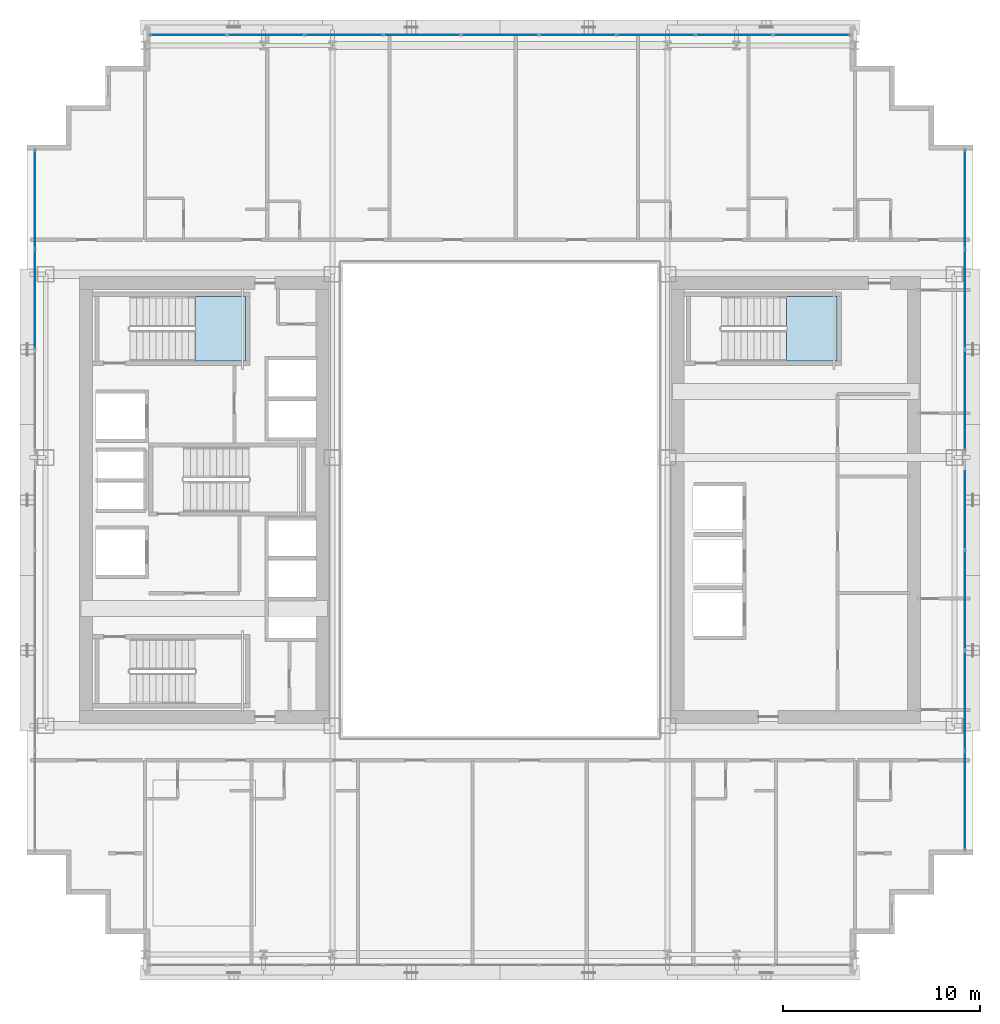
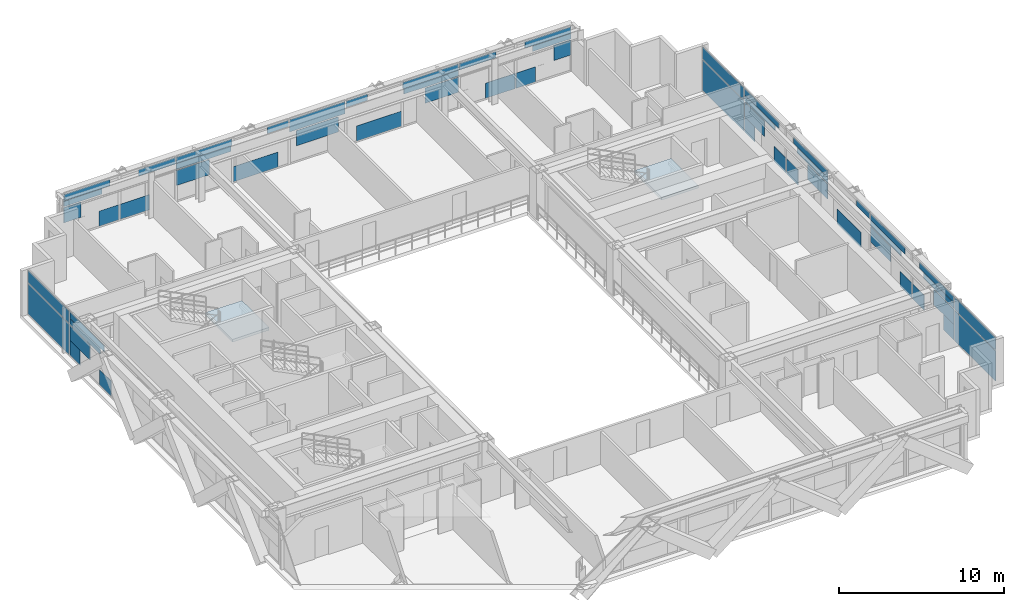
# One storey, part 24 of 35: 55 plates, 2 slabs, 5 elements without a shape of their own.
"""IFC4 building model written with IfcOpenShell, lengths in metres."""

from ifc_helpers import new_model, si_unit, direction, frame, origin, origin_2d, place, context, subcontext, project, spatial, polyline, rectangle, outline, extrude, source, transform, mapped, material, layer, layer_set, type_object, element, aggregate, save


model = new_model("IFC4")

# Units and contexts
model_context = context("Model", 3, precision=1e-05, world=origin(), true_north=direction((0.0, 1.0)))
body_context = subcontext(model_context, "Body", "Model", "MODEL_VIEW")
ifc_project = project(units=[si_unit("LENGTHUNIT", "METRE"), si_unit("AREAUNIT", "SQUARE_METRE"), si_unit("VOLUMEUNIT", "CUBIC_METRE"), si_unit("PLANEANGLEUNIT", "RADIAN"), si_unit("MASSUNIT", "GRAM", prefix="KILO")], contexts=[model_context])

# Site, building, storey
site_placement = place(None, origin())
site = spatial("IfcSite", under=ifc_project, at=site_placement, CompositionType="ELEMENT")
building_placement = place(site_placement, origin())
building = spatial("IfcBuilding", under=site, at=building_placement, Name="Ocotamira Hotel", CompositionType="ELEMENT")
storey_placement = place(building_placement, frame((0.0, 0.0, 118.800048828125)))
storey = spatial("IfcBuildingStorey", under=building, at=storey_placement, Name="L29", CompositionType="ELEMENT", Elevation=118.800048828125)

# Stair, slab
ifc_material_1 = material(Name="Concrete C40/50", Category="concrete")
stair_type = type_object("IfcStairType", Name="ST-CORE-1560", PredefinedType="HALF_TURN_STAIR", material=ifc_material_1)
stair_1_placement = place(storey_placement, origin())
stair_1 = element("IfcStair", 1, at=stair_1_placement, inside=storey, type_object=stair_type, Name="L29 Exit Stair ST-2", PredefinedType="HALF_TURN_STAIR")
ifc_layer_1 = layer(ifc_material_1, 0.199951171875)
ifc_layer_set_1 = layer_set([ifc_layer_1], Name="Concrete C40/50")
slab_type = type_object("IfcSlabType", Name="SLB-LAND-200", PredefinedType="LANDING", material=ifc_layer_set_1)
slab_1_placement = place(storey_placement, frame((0.0, 0.0, 1.599853515625)))
slab_1 = element("IfcSlab", 2, at=slab_1_placement, type_object=slab_type, Name="ST-2 landing 1", PredefinedType="LANDING", context=body_context, shape_type="SweptSolid", body=[
    extrude(outline(polyline([(16.530029296875, 33.050048828125), (19.090087890625, 33.050048828125), (19.090087890625, 36.330078125), (16.530029296875, 36.330078125), (16.530029296875, 33.050048828125)])), origin(), (0.0, 0.0, 1.0), 0.2001953125),
])
aggregate(stair_1, [slab_1])

stair_2_placement = place(storey_placement, origin())
stair_2 = element("IfcStair", 3, at=stair_2_placement, inside=storey, type_object=stair_type, Name="L29 Exit Stair ST-4", PredefinedType="HALF_TURN_STAIR")
slab_2_placement = place(storey_placement, frame((0.0, 0.0, 1.599853515625)))
slab_2 = element("IfcSlab", 4, at=slab_2_placement, type_object=slab_type, Name="ST-4 landing 1", PredefinedType="LANDING", context=body_context, shape_type="SweptSolid", body=[
    extrude(outline(polyline([(46.530029296875, 33.050048828125), (49.090087890625, 33.050048828125), (49.090087890625, 36.330078125), (46.530029296875, 36.330078125), (46.530029296875, 33.050048828125)])), origin(), (0.0, 0.0, 1.0), 0.2001953125),
])
aggregate(stair_2, [slab_2])

# Curtain wall, plate
ifc_material_2 = material(Name="Anodised pale-metal aluminium and solar glass", Category="aluminium")
ifc_layer_2 = layer(ifc_material_2, 0.179931640625)
ifc_layer_set_2 = layer_set([ifc_layer_2], Name="Anodised pale-metal aluminium and solar glass")
curtain_wall_type = type_object("IfcCurtainWallType", Name="CW-SYS3-Z2", PredefinedType="NOTDEFINED", material=ifc_layer_set_2)
curtain_wall_1_placement = place(storey_placement, origin())
curtain_wall_1 = element("IfcCurtainWall", 5, at=curtain_wall_1_placement, inside=storey, type_object=curtain_wall_type, Name="L29 Curtain Wall CW-3 CW-L29-W", PredefinedType="NOTDEFINED")
ifc_material_3 = material(Name="Double-silver low-E insulated solar glass", Category="glass")
ifc_layer_3 = layer(ifc_material_3, 0.031982421875)
ifc_layer_set_3 = layer_set([ifc_layer_3], Name="Double-silver low-E insulated solar glass")
plate_type = type_object("IfcPlateType", Name="CWP-VISION-32", PredefinedType="CURTAIN_PANEL", material=ifc_layer_set_3)
shared_shape_1 = source(origin(), body_context, "Body", "SweptSolid", [
    extrude(rectangle(XDim=4.9658203125, YDim=0.031982421875, at=origin_2d()), origin(), (0.0, 0.0, 1.0), 2.237548828125),
])
plate_1_placement = place(storey_placement, frame((8.419921875, 41.237060546875, 0.07470703125), z_axis=(0.0, 0.0, 1.0), x_axis=(0.0, 1.0, 0.0)))
plate_1 = element("IfcPlate", 6, at=plate_1_placement, type_object=plate_type, Name="CW-3 panel 7.1", PredefinedType="CURTAIN_PANEL", context=body_context, shape_type="MappedRepresentation", body=[
    mapped(shared_shape_1, transform((0.0, 0.0, 0.0), scale=1.0)),
])

# Curtain wall, plates
curtain_wall_2_placement = place(storey_placement, origin())
curtain_wall_2 = element("IfcCurtainWall", 7, at=curtain_wall_2_placement, inside=storey, type_object=curtain_wall_type, Name="L29 Curtain Wall CW-3 CW-L29-E", PredefinedType="NOTDEFINED")
plate_2_placement = place(storey_placement, frame((55.580078125, 10.762939453125, 0.07470703125), z_axis=(0.0, 0.0, 1.0), x_axis=(0.0, 1.0, 0.0)))
plate_2 = element("IfcPlate", 8, at=plate_2_placement, type_object=plate_type, Name="CW-3 panel 1.1", PredefinedType="CURTAIN_PANEL", context=body_context, shape_type="MappedRepresentation", body=[
    mapped(shared_shape_1, transform((0.0, 0.0, 0.0), scale=1.0)),
])
plate_3_placement = place(storey_placement, frame((55.580078125, 41.237060546875, 0.07470703125), z_axis=(0.0, 0.0, 1.0), x_axis=(0.0, 1.0, 0.0)))
plate_3 = element("IfcPlate", 9, at=plate_3_placement, type_object=plate_type, Name="CW-3 panel 7.1", PredefinedType="CURTAIN_PANEL", context=body_context, shape_type="MappedRepresentation", body=[
    mapped(shared_shape_1, transform((0.0, 0.0, 0.0), scale=1.0)),
])

curtain_wall_3_placement = place(storey_placement, origin())
curtain_wall_3 = element("IfcCurtainWall", 10, at=curtain_wall_3_placement, inside=storey, type_object=curtain_wall_type, Name="L29 Curtain Wall CW-3 CW-L29-N", PredefinedType="NOTDEFINED")
shared_shape_2 = source(origin(), body_context, "Body", "SweptSolid", [
    extrude(rectangle(XDim=2.676513671875, YDim=0.031982421875, at=origin_2d()), origin(), (0.0, 0.0, 1.0), 0.39453125),
])
plate_4_placement = place(storey_placement, frame((15.618408203125, 49.580078125, 2.387451171875), z_axis=(0.0, 0.0, 1.0), x_axis=(1.0, 0.0, 0.0)))
plate_4 = element("IfcPlate", 11, at=plate_4_placement, type_object=plate_type, Name="CW-3 panel 1.2.1", PredefinedType="CURTAIN_PANEL", context=body_context, shape_type="MappedRepresentation", body=[
    mapped(shared_shape_2, transform((0.0, 0.0, 0.0), scale=1.0)),
])
plate_5_placement = place(storey_placement, frame((48.381591796875, 49.580078125, 2.387451171875), z_axis=(0.0, 0.0, 1.0), x_axis=(1.0, 0.0, 0.0)))
plate_5 = element("IfcPlate", 12, at=plate_5_placement, type_object=plate_type, Name="CW-3 panel 9.2.2", PredefinedType="CURTAIN_PANEL", context=body_context, shape_type="MappedRepresentation", body=[
    mapped(shared_shape_2, transform((0.0, 0.0, 0.0), scale=1.0)),
])
shared_shape_3 = source(origin(), body_context, "Body", "SweptSolid", [
    extrude(rectangle(XDim=3.208740234375, YDim=0.031982421875, at=origin_2d()), origin(), (0.0, 0.0, 1.0), 0.4716796875),
])
plate_6_placement = place(storey_placement, frame((15.884521484375, 49.580078125, 2.813232421875), z_axis=(0.0, 0.0, 1.0), x_axis=(1.0, 0.0, 0.0)))
plate_6 = element("IfcPlate", 13, at=plate_6_placement, type_object=plate_type, Name="CW-3 panel 1.2.2", PredefinedType="CURTAIN_PANEL", context=body_context, shape_type="MappedRepresentation", body=[
    mapped(shared_shape_3, transform((0.0, 0.0, 0.0), scale=1.0)),
])
plate_7_placement = place(storey_placement, frame((48.115478515625, 49.580078125, 2.813232421875), z_axis=(0.0, 0.0, 1.0), x_axis=(1.0, 0.0, 0.0)))
plate_7 = element("IfcPlate", 14, at=plate_7_placement, type_object=plate_type, Name="CW-3 panel 9.2.1", PredefinedType="CURTAIN_PANEL", context=body_context, shape_type="MappedRepresentation", body=[
    mapped(shared_shape_3, transform((0.0, 0.0, 0.0), scale=1.0)),
])
shared_shape_4 = source(origin(), body_context, "Body", "SweptSolid", [
    extrude(rectangle(XDim=2.559814453125, YDim=0.031982421875, at=origin_2d()), origin(), (0.0, 0.0, 1.0), 0.4716796875),
])
plate_8_placement = place(storey_placement, frame((20.791259765625, 49.580078125, 2.813232421875), z_axis=(0.0, 0.0, 1.0), x_axis=(1.0, 0.0, 0.0)))
plate_8 = element("IfcPlate", 15, at=plate_8_placement, type_object=plate_type, Name="CW-3 panel 2.2.1", PredefinedType="CURTAIN_PANEL", context=body_context, shape_type="MappedRepresentation", body=[
    mapped(shared_shape_4, transform((0.0, 0.0, 0.0), scale=1.0)),
])
plate_9_placement = place(storey_placement, frame((43.208740234375, 49.580078125, 2.813232421875), z_axis=(0.0, 0.0, 1.0), x_axis=(1.0, 0.0, 0.0)))
plate_9 = element("IfcPlate", 16, at=plate_9_placement, type_object=plate_type, Name="CW-3 panel 8.2.1", PredefinedType="CURTAIN_PANEL", context=body_context, shape_type="MappedRepresentation", body=[
    mapped(shared_shape_4, transform((0.0, 0.0, 0.0), scale=1.0)),
])
shared_shape_5 = source(origin(), body_context, "Body", "SweptSolid", [
    extrude(rectangle(XDim=3.805419921875, YDim=0.031982421875, at=origin_2d()), origin(), (0.0, 0.0, 1.0), 0.42578125),
])
plate_10_placement = place(storey_placement, frame((24.0537109375, 49.580078125, 2.387451171875), z_axis=(0.0, 0.0, 1.0), x_axis=(1.0, 0.0, 0.0)))
plate_10 = element("IfcPlate", 17, at=plate_10_placement, type_object=plate_type, Name="CW-3 panel 3.2.1", PredefinedType="CURTAIN_PANEL", context=body_context, shape_type="MappedRepresentation", body=[
    mapped(shared_shape_5, transform((0.0, 0.0, 0.0), scale=1.0)),
])
plate_11_placement = place(storey_placement, frame((39.9462890625, 49.580078125, 2.387451171875), z_axis=(0.0, 0.0, 1.0), x_axis=(1.0, 0.0, 0.0)))
plate_11 = element("IfcPlate", 18, at=plate_11_placement, type_object=plate_type, Name="CW-3 panel 7.2.2", PredefinedType="CURTAIN_PANEL", context=body_context, shape_type="MappedRepresentation", body=[
    mapped(shared_shape_5, transform((0.0, 0.0, 0.0), scale=1.0)),
])
shared_shape_6 = source(origin(), body_context, "Body", "SweptSolid", [
    extrude(rectangle(XDim=3.87548828125, YDim=0.031982421875, at=origin_2d()), origin(), (0.0, 0.0, 1.0), 0.4716796875),
])
plate_12_placement = place(storey_placement, frame((24.0888671875, 49.580078125, 2.813232421875), z_axis=(0.0, 0.0, 1.0), x_axis=(1.0, 0.0, 0.0)))
plate_12 = element("IfcPlate", 19, at=plate_12_placement, type_object=plate_type, Name="CW-3 panel 3.2.2", PredefinedType="CURTAIN_PANEL", context=body_context, shape_type="MappedRepresentation", body=[
    mapped(shared_shape_6, transform((0.0, 0.0, 0.0), scale=1.0)),
])
plate_13_placement = place(storey_placement, frame((39.9111328125, 49.580078125, 2.813232421875), z_axis=(0.0, 0.0, 1.0), x_axis=(1.0, 0.0, 0.0)))
plate_13 = element("IfcPlate", 20, at=plate_13_placement, type_object=plate_type, Name="CW-3 panel 7.2.1", PredefinedType="CURTAIN_PANEL", context=body_context, shape_type="MappedRepresentation", body=[
    mapped(shared_shape_6, transform((0.0, 0.0, 0.0), scale=1.0)),
])
shared_shape_7 = source(origin(), body_context, "Body", "SweptSolid", [
    extrude(rectangle(XDim=1.470947265625, YDim=0.031982421875, at=origin_2d()), origin(), (0.0, 0.0, 1.0), 0.4716796875),
])
plate_14_placement = place(storey_placement, frame((29.24658203125, 49.580078125, 2.813232421875), z_axis=(0.0, 0.0, 1.0), x_axis=(1.0, 0.0, 0.0)))
plate_14 = element("IfcPlate", 21, at=plate_14_placement, type_object=plate_type, Name="CW-3 panel 4.2.1", PredefinedType="CURTAIN_PANEL", context=body_context, shape_type="MappedRepresentation", body=[
    mapped(shared_shape_7, transform((0.0, 0.0, 0.0), scale=1.0)),
])
plate_15_placement = place(storey_placement, frame((34.75341796875, 49.580078125, 2.813232421875), z_axis=(0.0, 0.0, 1.0), x_axis=(1.0, 0.0, 0.0)))
plate_15 = element("IfcPlate", 22, at=plate_15_placement, type_object=plate_type, Name="CW-3 panel 6.2.1", PredefinedType="CURTAIN_PANEL", context=body_context, shape_type="MappedRepresentation", body=[
    mapped(shared_shape_7, transform((0.0, 0.0, 0.0), scale=1.0)),
])
shared_shape_8 = source(origin(), body_context, "Body", "SweptSolid", [
    extrude(rectangle(XDim=3.87548828125, YDim=0.031982421875, at=origin_2d()), origin(), (0.0, 0.0, 1.0), 0.8974609375),
])
plate_16_placement = place(storey_placement, frame((32.0, 49.580078125, 2.387451171875), z_axis=(0.0, 0.0, 1.0), x_axis=(1.0, 0.0, 0.0)))
plate_16 = element("IfcPlate", 23, at=plate_16_placement, type_object=plate_type, Name="CW-3 panel 5.2", PredefinedType="CURTAIN_PANEL", context=body_context, shape_type="MappedRepresentation", body=[
    mapped(shared_shape_8, transform((0.0, 0.0, 0.0), scale=1.0)),
])

# Plate
shared_shape_9 = source(origin(), body_context, "Body", "SweptSolid", [
    extrude(rectangle(XDim=4.9658203125, YDim=0.031982421875, at=origin_2d()), origin(), (0.0, 0.0, 1.0), 0.8974609375),
])
plate_17_placement = place(storey_placement, frame((8.419921875, 41.237060546875, 2.387451171875), z_axis=(0.0, 0.0, 1.0), x_axis=(0.0, 1.0, 0.0)))
plate_17 = element("IfcPlate", 24, at=plate_17_placement, type_object=plate_type, Name="CW-3 panel 7.2", PredefinedType="CURTAIN_PANEL", context=body_context, shape_type="MappedRepresentation", body=[
    mapped(shared_shape_9, transform((0.0, 0.0, 0.0), scale=1.0)),
])

plate_18_placement = place(storey_placement, frame((55.580078125, 10.762939453125, 2.387451171875), z_axis=(0.0, 0.0, 1.0), x_axis=(0.0, 1.0, 0.0)))
plate_18 = element("IfcPlate", 25, at=plate_18_placement, type_object=plate_type, Name="CW-3 panel 1.2", PredefinedType="CURTAIN_PANEL", context=body_context, shape_type="MappedRepresentation", body=[
    mapped(shared_shape_9, transform((0.0, 0.0, 0.0), scale=1.0)),
])

plate_19_placement = place(storey_placement, frame((55.580078125, 41.237060546875, 2.387451171875), z_axis=(0.0, 0.0, 1.0), x_axis=(0.0, 1.0, 0.0)))
plate_19 = element("IfcPlate", 26, at=plate_19_placement, type_object=plate_type, Name="CW-3 panel 7.2", PredefinedType="CURTAIN_PANEL", context=body_context, shape_type="MappedRepresentation", body=[
    mapped(shared_shape_9, transform((0.0, 0.0, 0.0), scale=1.0)),
])

shared_shape_10 = source(origin(), body_context, "Body", "SweptSolid", [
    extrude(rectangle(XDim=3.69189453125, YDim=0.031982421875, at=origin_2d()), origin(), (0.0, 0.0, 1.0), 0.414306640625),
])
plate_20_placement = place(storey_placement, frame((8.419921875, 36.828369140625, 2.3876953125), z_axis=(0.0, 0.0, 1.0), x_axis=(0.0, 1.0, 0.0)))
plate_20 = element("IfcPlate", 27, at=plate_20_placement, type_object=plate_type, Name="CW-3 panel 6.2.2", PredefinedType="CURTAIN_PANEL", context=body_context, shape_type="MappedRepresentation", body=[
    mapped(shared_shape_10, transform((0.0, 0.0, 0.0), scale=1.0)),
])

plate_21_placement = place(storey_placement, frame((55.580078125, 15.171630859375, 2.3876953125), z_axis=(0.0, 0.0, 1.0), x_axis=(0.0, 1.0, 0.0)))
plate_21 = element("IfcPlate", 28, at=plate_21_placement, type_object=plate_type, Name="CW-3 panel 2.2.1", PredefinedType="CURTAIN_PANEL", context=body_context, shape_type="MappedRepresentation", body=[
    mapped(shared_shape_10, transform((0.0, 0.0, 0.0), scale=1.0)),
])

plate_22_placement = place(storey_placement, frame((55.580078125, 36.828369140625, 2.3876953125), z_axis=(0.0, 0.0, 1.0), x_axis=(0.0, 1.0, 0.0)))
plate_22 = element("IfcPlate", 29, at=plate_22_placement, type_object=plate_type, Name="CW-3 panel 6.2.2", PredefinedType="CURTAIN_PANEL", context=body_context, shape_type="MappedRepresentation", body=[
    mapped(shared_shape_10, transform((0.0, 0.0, 0.0), scale=1.0)),
])

shared_shape_11 = source(origin(), body_context, "Body", "SweptSolid", [
    extrude(rectangle(XDim=4.16748046875, YDim=0.031982421875, at=origin_2d()), origin(), (0.0, 0.0, 1.0), 0.44873046875),
])
plate_23_placement = place(storey_placement, frame((8.419921875, 36.590576171875, 2.836181640625), z_axis=(0.0, 0.0, 1.0), x_axis=(0.0, 1.0, 0.0)))
plate_23 = element("IfcPlate", 30, at=plate_23_placement, type_object=plate_type, Name="CW-3 panel 6.2.1", PredefinedType="CURTAIN_PANEL", context=body_context, shape_type="MappedRepresentation", body=[
    mapped(shared_shape_11, transform((0.0, 0.0, 0.0), scale=1.0)),
])

plate_24_placement = place(storey_placement, frame((55.580078125, 15.409423828125, 2.836181640625), z_axis=(0.0, 0.0, 1.0), x_axis=(0.0, 1.0, 0.0)))
plate_24 = element("IfcPlate", 31, at=plate_24_placement, type_object=plate_type, Name="CW-3 panel 2.2.2", PredefinedType="CURTAIN_PANEL", context=body_context, shape_type="MappedRepresentation", body=[
    mapped(shared_shape_11, transform((0.0, 0.0, 0.0), scale=1.0)),
])

plate_25_placement = place(storey_placement, frame((55.580078125, 36.590576171875, 2.836181640625), z_axis=(0.0, 0.0, 1.0), x_axis=(0.0, 1.0, 0.0)))
plate_25 = element("IfcPlate", 32, at=plate_25_placement, type_object=plate_type, Name="CW-3 panel 6.2.1", PredefinedType="CURTAIN_PANEL", context=body_context, shape_type="MappedRepresentation", body=[
    mapped(shared_shape_11, transform((0.0, 0.0, 0.0), scale=1.0)),
])

shared_shape_12 = source(origin(), body_context, "Body", "SweptSolid", [
    extrude(rectangle(XDim=4.17724609375, YDim=0.031982421875, at=origin_2d()), origin(), (0.0, 0.0, 1.0), 0.44873046875),
])
plate_26_placement = place(storey_placement, frame((55.580078125, 21.32861328125, 2.836181640625), z_axis=(0.0, 0.0, 1.0), x_axis=(0.0, 1.0, 0.0)))
plate_26 = element("IfcPlate", 33, at=plate_26_placement, type_object=plate_type, Name="CW-3 panel 3.2.1", PredefinedType="CURTAIN_PANEL", context=body_context, shape_type="MappedRepresentation", body=[
    mapped(shared_shape_12, transform((0.0, 0.0, 0.0), scale=1.0)),
])

plate_27_placement = place(storey_placement, frame((55.580078125, 30.67138671875, 2.836181640625), z_axis=(0.0, 0.0, 1.0), x_axis=(0.0, 1.0, 0.0)))
plate_27 = element("IfcPlate", 34, at=plate_27_placement, type_object=plate_type, Name="CW-3 panel 5.2.2", PredefinedType="CURTAIN_PANEL", context=body_context, shape_type="MappedRepresentation", body=[
    mapped(shared_shape_12, transform((0.0, 0.0, 0.0), scale=1.0)),
])

shared_shape_13 = source(origin(), body_context, "Body", "SweptSolid", [
    extrude(rectangle(XDim=3.70166015625, YDim=0.031982421875, at=origin_2d()), origin(), (0.0, 0.0, 1.0), 0.414306640625),
])
plate_28_placement = place(storey_placement, frame((55.580078125, 21.56640625, 2.3876953125), z_axis=(0.0, 0.0, 1.0), x_axis=(0.0, 1.0, 0.0)))
plate_28 = element("IfcPlate", 35, at=plate_28_placement, type_object=plate_type, Name="CW-3 panel 3.2.2", PredefinedType="CURTAIN_PANEL", context=body_context, shape_type="MappedRepresentation", body=[
    mapped(shared_shape_13, transform((0.0, 0.0, 0.0), scale=1.0)),
])

plate_29_placement = place(storey_placement, frame((55.580078125, 30.43359375, 2.3876953125), z_axis=(0.0, 0.0, 1.0), x_axis=(0.0, 1.0, 0.0)))
plate_29 = element("IfcPlate", 36, at=plate_29_placement, type_object=plate_type, Name="CW-3 panel 5.2.1", PredefinedType="CURTAIN_PANEL", context=body_context, shape_type="MappedRepresentation", body=[
    mapped(shared_shape_13, transform((0.0, 0.0, 0.0), scale=1.0)),
])

shared_shape_14 = source(origin(), body_context, "Body", "SweptSolid", [
    extrude(rectangle(XDim=1.629638671875, YDim=0.031982421875, at=origin_2d()), origin(), (0.0, 0.0, 1.0), 0.44873046875),
])
plate_30_placement = place(storey_placement, frame((55.580078125, 24.31201171875, 2.836181640625), z_axis=(0.0, 0.0, 1.0), x_axis=(0.0, 1.0, 0.0)))
plate_30 = element("IfcPlate", 37, at=plate_30_placement, type_object=plate_type, Name="CW-3 panel 4.2.1", PredefinedType="CURTAIN_PANEL", context=body_context, shape_type="MappedRepresentation", body=[
    mapped(shared_shape_14, transform((0.0, 0.0, 0.0), scale=1.0)),
])

shared_shape_15 = source(origin(), body_context, "Body", "SweptSolid", [
    extrude(rectangle(XDim=2.404296875, YDim=0.031982421875, at=origin_2d()), origin(), (0.0, 0.0, 1.0), 1.11865234375),
])
plate_31_placement = place(storey_placement, frame((55.580078125, 22.183349609375, 1.193603515625), z_axis=(0.0, 0.0, 1.0), x_axis=(0.0, 1.0, 0.0)))
plate_31 = element("IfcPlate", 38, at=plate_31_placement, type_object=plate_type, Name="CW-3 panel 3.1.2", PredefinedType="CURTAIN_PANEL", context=body_context, shape_type="MappedRepresentation", body=[
    mapped(shared_shape_15, transform((0.0, 0.0, 0.0), scale=1.0)),
])

plate_32_placement = place(storey_placement, frame((55.580078125, 29.816650390625, 1.193603515625), z_axis=(0.0, 0.0, 1.0), x_axis=(0.0, 1.0, 0.0)))
plate_32 = element("IfcPlate", 39, at=plate_32_placement, type_object=plate_type, Name="CW-3 panel 5.1.1", PredefinedType="CURTAIN_PANEL", context=body_context, shape_type="MappedRepresentation", body=[
    mapped(shared_shape_15, transform((0.0, 0.0, 0.0), scale=1.0)),
])

shared_shape_16 = source(origin(), body_context, "Body", "SweptSolid", [
    extrude(rectangle(XDim=1.37060546875, YDim=0.031982421875, at=origin_2d()), origin(), (0.0, 0.0, 1.0), 1.118896484375),
])
plate_33_placement = place(storey_placement, frame((17.430419921875, 49.580078125, 0.07470703125), z_axis=(0.0, 0.0, 1.0), x_axis=(1.0, 0.0, 0.0)))
plate_33 = element("IfcPlate", 40, at=plate_33_placement, type_object=plate_type, Name="CW-3 panel 1.1.2", PredefinedType="CURTAIN_PANEL", context=body_context, shape_type="MappedRepresentation", body=[
    mapped(shared_shape_16, transform((0.0, 0.0, 0.0), scale=1.0)),
])

plate_34_placement = place(storey_placement, frame((46.569580078125, 49.580078125, 0.07470703125), z_axis=(0.0, 0.0, 1.0), x_axis=(1.0, 0.0, 0.0)))
plate_34 = element("IfcPlate", 41, at=plate_34_placement, type_object=plate_type, Name="CW-3 panel 9.1.1", PredefinedType="CURTAIN_PANEL", context=body_context, shape_type="MappedRepresentation", body=[
    mapped(shared_shape_16, transform((0.0, 0.0, 0.0), scale=1.0)),
])

shared_shape_17 = source(origin(), body_context, "Body", "SweptSolid", [
    extrude(rectangle(XDim=2.059326171875, YDim=0.031982421875, at=origin_2d()), origin(), (0.0, 0.0, 1.0), 1.118896484375),
])
plate_35_placement = place(storey_placement, frame((19.225341796875, 49.580078125, 0.07470703125), z_axis=(0.0, 0.0, 1.0), x_axis=(1.0, 0.0, 0.0)))
plate_35 = element("IfcPlate", 42, at=plate_35_placement, type_object=plate_type, Name="CW-3 panel 2.1.1", PredefinedType="CURTAIN_PANEL", context=body_context, shape_type="MappedRepresentation", body=[
    mapped(shared_shape_17, transform((0.0, 0.0, 0.0), scale=1.0)),
])

plate_36_placement = place(storey_placement, frame((44.774658203125, 49.580078125, 0.07470703125), z_axis=(0.0, 0.0, 1.0), x_axis=(1.0, 0.0, 0.0)))
plate_36 = element("IfcPlate", 43, at=plate_36_placement, type_object=plate_type, Name="CW-3 panel 8.1.1", PredefinedType="CURTAIN_PANEL", context=body_context, shape_type="MappedRepresentation", body=[
    mapped(shared_shape_17, transform((0.0, 0.0, 0.0), scale=1.0)),
])

shared_shape_18 = source(origin(), body_context, "Body", "SweptSolid", [
    extrude(rectangle(XDim=3.148193359375, YDim=0.031982421875, at=origin_2d()), origin(), (0.0, 0.0, 1.0), 1.118896484375),
])
plate_37_placement = place(storey_placement, frame((27.680908203125, 49.580078125, 0.07470703125), z_axis=(0.0, 0.0, 1.0), x_axis=(1.0, 0.0, 0.0)))
plate_37 = element("IfcPlate", 44, at=plate_37_placement, type_object=plate_type, Name="CW-3 panel 4.1.1", PredefinedType="CURTAIN_PANEL", context=body_context, shape_type="MappedRepresentation", body=[
    mapped(shared_shape_18, transform((0.0, 0.0, 0.0), scale=1.0)),
])

plate_38_placement = place(storey_placement, frame((36.319091796875, 49.580078125, 0.07470703125), z_axis=(0.0, 0.0, 1.0), x_axis=(1.0, 0.0, 0.0)))
plate_38 = element("IfcPlate", 45, at=plate_38_placement, type_object=plate_type, Name="CW-3 panel 6.1.1", PredefinedType="CURTAIN_PANEL", context=body_context, shape_type="MappedRepresentation", body=[
    mapped(shared_shape_18, transform((0.0, 0.0, 0.0), scale=1.0)),
])

shared_shape_19 = source(origin(), body_context, "Body", "SweptSolid", [
    extrude(rectangle(XDim=1.240234375, YDim=0.031982421875, at=origin_2d()), origin(), (0.0, 0.0, 1.0), 1.118896484375),
])
plate_39_placement = place(storey_placement, frame((8.419921875, 38.05419921875, 0.07470703125), z_axis=(0.0, 0.0, 1.0), x_axis=(0.0, 1.0, 0.0)))
plate_39 = element("IfcPlate", 46, at=plate_39_placement, type_object=plate_type, Name="CW-3 panel 6.1.3", PredefinedType="CURTAIN_PANEL", context=body_context, shape_type="MappedRepresentation", body=[
    mapped(shared_shape_19, transform((0.0, 0.0, 0.0), scale=1.0)),
])

plate_40_placement = place(storey_placement, frame((55.580078125, 13.94580078125, 0.07470703125), z_axis=(0.0, 0.0, 1.0), x_axis=(0.0, 1.0, 0.0)))
plate_40 = element("IfcPlate", 47, at=plate_40_placement, type_object=plate_type, Name="CW-3 panel 2.1.1", PredefinedType="CURTAIN_PANEL", context=body_context, shape_type="MappedRepresentation", body=[
    mapped(shared_shape_19, transform((0.0, 0.0, 0.0), scale=1.0)),
])

plate_41_placement = place(storey_placement, frame((55.580078125, 38.05419921875, 0.07470703125), z_axis=(0.0, 0.0, 1.0), x_axis=(0.0, 1.0, 0.0)))
plate_41 = element("IfcPlate", 48, at=plate_41_placement, type_object=plate_type, Name="CW-3 panel 6.1.3", PredefinedType="CURTAIN_PANEL", context=body_context, shape_type="MappedRepresentation", body=[
    mapped(shared_shape_19, transform((0.0, 0.0, 0.0), scale=1.0)),
])

shared_shape_20 = source(origin(), body_context, "Body", "SweptSolid", [
    extrude(rectangle(XDim=1.413330078125, YDim=0.031982421875, at=origin_2d()), origin(), (0.0, 0.0, 1.0), 1.118896484375),
])
plate_42_placement = place(storey_placement, frame((8.419921875, 34.375244140625, 0.07470703125), z_axis=(0.0, 0.0, 1.0), x_axis=(0.0, 1.0, 0.0)))
plate_42 = element("IfcPlate", 49, at=plate_42_placement, type_object=plate_type, Name="CW-3 panel 6.1.1", PredefinedType="CURTAIN_PANEL", context=body_context, shape_type="MappedRepresentation", body=[
    mapped(shared_shape_20, transform((0.0, 0.0, 0.0), scale=1.0)),
])

plate_43_placement = place(storey_placement, frame((55.580078125, 17.624755859375, 0.07470703125), z_axis=(0.0, 0.0, 1.0), x_axis=(0.0, 1.0, 0.0)))
plate_43 = element("IfcPlate", 50, at=plate_43_placement, type_object=plate_type, Name="CW-3 panel 2.1.3", PredefinedType="CURTAIN_PANEL", context=body_context, shape_type="MappedRepresentation", body=[
    mapped(shared_shape_20, transform((0.0, 0.0, 0.0), scale=1.0)),
])

plate_44_placement = place(storey_placement, frame((55.580078125, 34.375244140625, 0.07470703125), z_axis=(0.0, 0.0, 1.0), x_axis=(0.0, 1.0, 0.0)))
plate_44 = element("IfcPlate", 51, at=plate_44_placement, type_object=plate_type, Name="CW-3 panel 6.1.1", PredefinedType="CURTAIN_PANEL", context=body_context, shape_type="MappedRepresentation", body=[
    mapped(shared_shape_20, transform((0.0, 0.0, 0.0), scale=1.0)),
])

shared_shape_21 = source(origin(), body_context, "Body", "SweptSolid", [
    extrude(rectangle(XDim=1.40380859375, YDim=0.031982421875, at=origin_2d()), origin(), (0.0, 0.0, 1.0), 1.118896484375),
])
plate_45_placement = place(storey_placement, frame((55.580078125, 19.11328125, 0.07470703125), z_axis=(0.0, 0.0, 1.0), x_axis=(0.0, 1.0, 0.0)))
plate_45 = element("IfcPlate", 52, at=plate_45_placement, type_object=plate_type, Name="CW-3 panel 3.1.1", PredefinedType="CURTAIN_PANEL", context=body_context, shape_type="MappedRepresentation", body=[
    mapped(shared_shape_21, transform((0.0, 0.0, 0.0), scale=1.0)),
])

plate_46_placement = place(storey_placement, frame((55.580078125, 32.88671875, 0.07470703125), z_axis=(0.0, 0.0, 1.0), x_axis=(0.0, 1.0, 0.0)))
plate_46 = element("IfcPlate", 53, at=plate_46_placement, type_object=plate_type, Name="CW-3 panel 5.1.2", PredefinedType="CURTAIN_PANEL", context=body_context, shape_type="MappedRepresentation", body=[
    mapped(shared_shape_21, transform((0.0, 0.0, 0.0), scale=1.0)),
])

shared_shape_22 = source(origin(), body_context, "Body", "SweptSolid", [
    extrude(rectangle(XDim=2.897216796875, YDim=0.031982421875, at=origin_2d()), origin(), (0.0, 0.0, 1.0), 1.118896484375),
])
plate_47_placement = place(storey_placement, frame((55.580078125, 26.0, 0.07470703125), z_axis=(0.0, 0.0, 1.0), x_axis=(0.0, 1.0, 0.0)))
plate_47 = element("IfcPlate", 54, at=plate_47_placement, type_object=plate_type, Name="CW-3 panel 4.1.1", PredefinedType="CURTAIN_PANEL", context=body_context, shape_type="MappedRepresentation", body=[
    mapped(shared_shape_22, transform((0.0, 0.0, 0.0), scale=1.0)),
])

shared_shape_23 = source(origin(), body_context, "Body", "SweptSolid", [
    extrude(rectangle(XDim=1.184326171875, YDim=0.031982421875, at=origin_2d()), origin(), (0.0, 0.0, 1.0), 1.11865234375),
])
plate_48_placement = place(storey_placement, frame((14.872314453125, 49.580078125, 1.193603515625), z_axis=(0.0, 0.0, 1.0), x_axis=(1.0, 0.0, 0.0)))
plate_48 = element("IfcPlate", 55, at=plate_48_placement, type_object=plate_type, Name="CW-3 panel 1.1.1", PredefinedType="CURTAIN_PANEL", context=body_context, shape_type="MappedRepresentation", body=[
    mapped(shared_shape_23, transform((0.0, 0.0, 0.0), scale=1.0)),
])

plate_49_placement = place(storey_placement, frame((49.127685546875, 49.580078125, 1.193603515625), z_axis=(0.0, 0.0, 1.0), x_axis=(1.0, 0.0, 0.0)))
plate_49 = element("IfcPlate", 56, at=plate_49_placement, type_object=plate_type, Name="CW-3 panel 9.1.2", PredefinedType="CURTAIN_PANEL", context=body_context, shape_type="MappedRepresentation", body=[
    mapped(shared_shape_23, transform((0.0, 0.0, 0.0), scale=1.0)),
])

shared_shape_24 = source(origin(), body_context, "Body", "SweptSolid", [
    extrude(rectangle(XDim=2.313232421875, YDim=0.031982421875, at=origin_2d()), origin(), (0.0, 0.0, 1.0), 1.11865234375),
])
plate_50_placement = place(storey_placement, frame((23.3076171875, 49.580078125, 1.193603515625), z_axis=(0.0, 0.0, 1.0), x_axis=(1.0, 0.0, 0.0)))
plate_50 = element("IfcPlate", 57, at=plate_50_placement, type_object=plate_type, Name="CW-3 panel 3.1.1", PredefinedType="CURTAIN_PANEL", context=body_context, shape_type="MappedRepresentation", body=[
    mapped(shared_shape_24, transform((0.0, 0.0, 0.0), scale=1.0)),
])

plate_51_placement = place(storey_placement, frame((40.6923828125, 49.580078125, 1.193603515625), z_axis=(0.0, 0.0, 1.0), x_axis=(1.0, 0.0, 0.0)))
plate_51 = element("IfcPlate", 58, at=plate_51_placement, type_object=plate_type, Name="CW-3 panel 7.1.1", PredefinedType="CURTAIN_PANEL", context=body_context, shape_type="MappedRepresentation", body=[
    mapped(shared_shape_24, transform((0.0, 0.0, 0.0), scale=1.0)),
])

shared_shape_25 = source(origin(), body_context, "Body", "SweptSolid", [
    extrude(rectangle(XDim=2.9287109375, YDim=0.031982421875, at=origin_2d()), origin(), (0.0, 0.0, 1.0), 1.11865234375),
])
plate_52_placement = place(storey_placement, frame((32.0, 49.580078125, 1.193603515625), z_axis=(0.0, 0.0, 1.0), x_axis=(1.0, 0.0, 0.0)))
plate_52 = element("IfcPlate", 59, at=plate_52_placement, type_object=plate_type, Name="CW-3 panel 5.1.1", PredefinedType="CURTAIN_PANEL", context=body_context, shape_type="MappedRepresentation", body=[
    mapped(shared_shape_25, transform((0.0, 0.0, 0.0), scale=1.0)),
])

aggregate(curtain_wall_3, [plate_48, plate_33, plate_4, plate_6, plate_35, plate_8, plate_50, plate_10, plate_12, plate_37, plate_14, plate_52, plate_16, plate_38, plate_15, plate_51, plate_13, plate_11, plate_36, plate_9, plate_34, plate_49, plate_7, plate_5])

shared_shape_26 = source(origin(), body_context, "Body", "SweptSolid", [
    extrude(rectangle(XDim=2.426513671875, YDim=0.031982421875, at=origin_2d()), origin(), (0.0, 0.0, 1.0), 1.11865234375),
])
plate_53_placement = place(storey_placement, frame((8.419921875, 37.461181640625, 1.193603515625), z_axis=(0.0, 0.0, 1.0), x_axis=(0.0, 1.0, 0.0)))
plate_53 = element("IfcPlate", 60, at=plate_53_placement, type_object=plate_type, Name="CW-3 panel 6.1.2", PredefinedType="CURTAIN_PANEL", context=body_context, shape_type="MappedRepresentation", body=[
    mapped(shared_shape_26, transform((0.0, 0.0, 0.0), scale=1.0)),
])

aggregate(curtain_wall_1, [plate_42, plate_53, plate_39, plate_23, plate_20, plate_1, plate_17])

plate_54_placement = place(storey_placement, frame((55.580078125, 14.538818359375, 1.193603515625), z_axis=(0.0, 0.0, 1.0), x_axis=(0.0, 1.0, 0.0)))
plate_54 = element("IfcPlate", 61, at=plate_54_placement, type_object=plate_type, Name="CW-3 panel 2.1.2", PredefinedType="CURTAIN_PANEL", context=body_context, shape_type="MappedRepresentation", body=[
    mapped(shared_shape_26, transform((0.0, 0.0, 0.0), scale=1.0)),
])

plate_55_placement = place(storey_placement, frame((55.580078125, 37.461181640625, 1.193603515625), z_axis=(0.0, 0.0, 1.0), x_axis=(0.0, 1.0, 0.0)))
plate_55 = element("IfcPlate", 62, at=plate_55_placement, type_object=plate_type, Name="CW-3 panel 6.1.2", PredefinedType="CURTAIN_PANEL", context=body_context, shape_type="MappedRepresentation", body=[
    mapped(shared_shape_26, transform((0.0, 0.0, 0.0), scale=1.0)),
])

aggregate(curtain_wall_2, [plate_2, plate_18, plate_40, plate_54, plate_43, plate_21, plate_24, plate_45, plate_31, plate_26, plate_28, plate_47, plate_30, plate_32, plate_46, plate_29, plate_27, plate_44, plate_55, plate_41, plate_25, plate_22, plate_3, plate_19])

save(model, "model.ifc")
